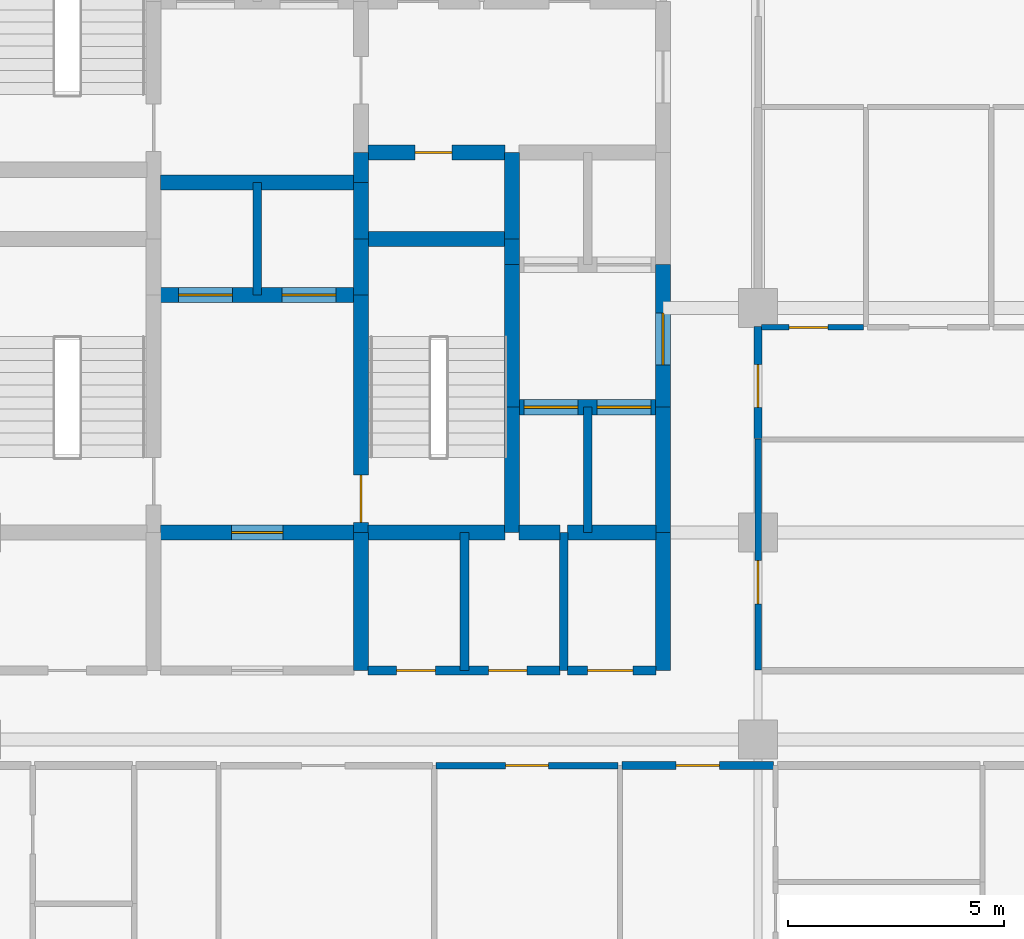
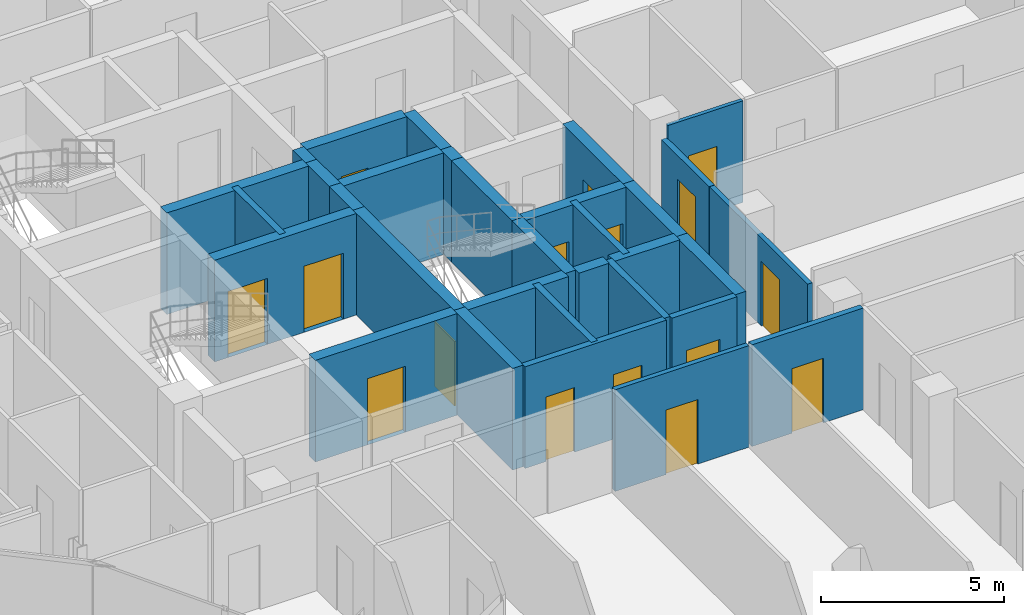
# One storey, part 26 of 31: 32 walls, 16 doors, 16 openings.
"""IFC4 building model written with IfcOpenShell, lengths in metres."""

from ifc_helpers import new_model, si_unit, direction, frame, frame_2d, origin, place, context, subcontext, project, spatial, rectangle, extrude, material, layer, layer_set, type_object, element, fill, save


model = new_model("IFC4")

# Units and contexts
model_context = context("Model", 3, precision=1e-05, world=origin(), true_north=direction((0.0, 1.0)))
body_context = subcontext(model_context, "Body", "Model", "MODEL_VIEW")
ifc_project = project(units=[si_unit("LENGTHUNIT", "METRE"), si_unit("AREAUNIT", "SQUARE_METRE"), si_unit("VOLUMEUNIT", "CUBIC_METRE"), si_unit("PLANEANGLEUNIT", "RADIAN"), si_unit("MASSUNIT", "GRAM", prefix="KILO")], contexts=[model_context])

# Site, building, storey
site_placement = place(None, origin())
site = spatial("IfcSite", under=ifc_project, at=site_placement, CompositionType="ELEMENT")
building_placement = place(site_placement, origin())
building = spatial("IfcBuilding", under=site, at=building_placement, Name="Keshet Zoharim Tower", CompositionType="ELEMENT")
storey_placement = place(building_placement, frame((0.0, 0.0, 144.60009765625)))
storey = spatial("IfcBuildingStorey", under=building, at=storey_placement, Name="L35", CompositionType="ELEMENT", Elevation=144.60009765625)

# Wall, opening, door
ifc_material_1 = material(Name="Gypsum Plasterboard", Category="gypsum")
ifc_layer_1 = layer(ifc_material_1, 0.14990234375)
ifc_layer_set_1 = layer_set([ifc_layer_1], Name="Gypsum Plasterboard")
wall_type_1 = type_object("IfcWallType", Name="WL-CLIN-150", PredefinedType="STANDARD", material=ifc_layer_set_1)
wall_1_placement = place(storey_placement, frame((33.0, 19.510009765625, 0.0), z_axis=(0.0, 0.0, 1.0), x_axis=(0.0, 1.0, 0.0)))
wall_1 = element("IfcWall", 1, at=wall_1_placement, inside=storey, type_object=wall_type_1, Name="L35 Interior Wall 069", PredefinedType="STANDARD", context=body_context, shape_type="SweptSolid", body=[
    extrude(rectangle(XDim=5.35009765625, YDim=0.14990234375, at=frame_2d((2.675048828125, 0.0))), origin(), (0.0, 0.0, 1.0), 2.934814453125),
])
opening_1_placement = place(wall_1_placement, frame((1.533935546875, 0.0, 0.0)))
opening_1 = element("IfcOpeningElement", 2, at=opening_1_placement, cuts=wall_1, Name="Opening D-F310", PredefinedType="OPENING", context=body_context, shape_type="SweptSolid", body=[
    extrude(rectangle(XDim=1.0, YDim=2.14990234375, at=frame_2d((0.5, 1.074951171875))), frame((0.0, 0.0849609375, 0.0), z_axis=(0.0, -1.0, 0.0), x_axis=(1.0, 0.0, 0.0)), (0.0, 0.0, 1.0), 0.169921875),
])
ifc_material_2 = material(Name="Hardwood Timber", Category="wood")
door_type_1 = type_object("IfcDoorType", Name="DR-FD30-100", OperationType="NOTDEFINED", PredefinedType="DOOR", material=ifc_material_2)
door_1_placement = place(opening_1_placement, origin())
door_1 = element("IfcDoor", 3, at=door_1_placement, inside=storey, type_object=door_type_1, Name="L35 South East Residents Services Suite Door 2", OperationType="SINGLE_SWING_RIGHT", OverallHeight=2.14990234375, OverallWidth=1.0, PredefinedType="DOOR", context=body_context, shape_type="SweptSolid", body=[
    extrude(rectangle(XDim=1.0, YDim=2.14990234375, at=frame_2d((0.5, 1.074951171875))), frame((0.0, 0.02490234375, 0.0), z_axis=(0.0, -1.0, 0.0), x_axis=(1.0, 0.0, 0.0)), (0.0, 0.0, 1.0), 0.050048828125),
])
fill(opening_1, door_1)

wall_2_placement = place(storey_placement, frame((25.544921875, 17.300048828125, 0.0), z_axis=(0.0, 0.0, 1.0), x_axis=(1.0, 0.0, 0.0)))
wall_2 = element("IfcWall", 4, at=wall_2_placement, inside=storey, type_object=wall_type_1, Name="L35 Interior Wall 123", PredefinedType="STANDARD", context=body_context, shape_type="SweptSolid", body=[
    extrude(rectangle(XDim=4.2099609375, YDim=0.14990234375, at=frame_2d((2.10498046875, 0.0))), origin(), (0.0, 0.0, 1.0), 3.385009765625),
])
opening_2_placement = place(wall_2_placement, frame((1.60498046875, 0.0, 0.0)))
opening_2 = element("IfcOpeningElement", 5, at=opening_2_placement, cuts=wall_2, Name="Opening D-F310", PredefinedType="OPENING", context=body_context, shape_type="SweptSolid", body=[
    extrude(rectangle(XDim=1.0, YDim=2.14990234375, at=frame_2d((0.5, 1.074951171875))), frame((0.0, 0.0849609375, 0.0), z_axis=(0.0, -1.0, 0.0), x_axis=(1.0, 0.0, 0.0)), (0.0, 0.0, 1.0), 0.169921875),
])
door_2_placement = place(opening_2_placement, origin())
door_2 = element("IfcDoor", 6, at=door_2_placement, inside=storey, type_object=door_type_1, Name="L35 Residents Reading Office Door", OperationType="SINGLE_SWING_LEFT", OverallHeight=2.14990234375, OverallWidth=1.0, PredefinedType="DOOR", context=body_context, shape_type="SweptSolid", body=[
    extrude(rectangle(XDim=1.0, YDim=2.14990234375, at=frame_2d((0.5, 1.074951171875))), frame((0.0, 0.02490234375, 0.0), z_axis=(0.0, -1.0, 0.0), x_axis=(1.0, 0.0, 0.0)), (0.0, 0.0, 1.0), 0.050048828125),
])
fill(opening_2, door_2)

# Wall
ifc_material_3 = material(Name="Concrete C60/75", Category="concrete")
ifc_layer_2 = layer(ifc_material_3, 0.35009765625)
ifc_layer_set_2 = layer_set([ifc_layer_2], Name="Concrete C60/75")
wall_type_2 = type_object("IfcWallType", Name="WL-CORE-350", PredefinedType="SHEAR", material=ifc_layer_set_2)
wall_3_placement = place(storey_placement, frame((23.800048828125, 19.5, 0.0), z_axis=(0.0, 0.0, 1.0), x_axis=(0.0, 1.0, 0.0)))
element("IfcWall", 7, at=wall_3_placement, inside=storey, type_object=wall_type_2, Name="L35 Core Shear Wall 036", PredefinedType="SHEAR", context=body_context, shape_type="SweptSolid", body=[
    extrude(rectangle(XDim=3.199951171875, YDim=0.35009765625, at=frame_2d((1.60009765625, 0.0))), origin(), (0.0, 0.0, 1.0), 3.385009765625),
])

# Wall, opening, door
wall_4_placement = place(storey_placement, frame((23.800048828125, 22.699951171875, 0.0), z_axis=(0.0, 0.0, 1.0), x_axis=(0.0, 1.0, 0.0)))
wall_4 = element("IfcWall", 8, at=wall_4_placement, inside=storey, type_object=wall_type_2, Name="L35 Core Shear Wall 037", PredefinedType="SHEAR", context=body_context, shape_type="SweptSolid", body=[
    extrude(rectangle(XDim=5.5, YDim=0.35009765625, at=frame_2d((2.75, 0.0))), origin(), (0.0, 0.0, 1.0), 3.385009765625),
])
opening_3_placement = place(wall_4_placement, frame((0.235107421875, 0.0, 0.0)))
opening_3 = element("IfcOpeningElement", 9, at=opening_3_placement, cuts=wall_4, Name="Opening D-F611", PredefinedType="OPENING", context=body_context, shape_type="SweptSolid", body=[
    extrude(rectangle(XDim=1.10009765625, YDim=2.14990234375, at=frame_2d((0.550048828125, 1.074951171875))), frame((0.0, 0.18505859375, 0.0), z_axis=(0.0, -1.0, 0.0), x_axis=(1.0, 0.0, 0.0)), (0.0, 0.0, 1.0), 0.3701171875),
])
door_type_2 = type_object("IfcDoorType", Name="DR-FD60-110", OperationType="NOTDEFINED", PredefinedType="DOOR", material=ifc_material_2)
door_3_placement = place(opening_3_placement, frame((1.10009765625, 0.0, 0.0), z_axis=(0.0, 0.0, 1.0), x_axis=(-1.0, 0.0, 0.0)))
door_3 = element("IfcDoor", 10, at=door_3_placement, inside=storey, type_object=door_type_2, Name="L35 Exit Stair ST-03 Fire Door", OperationType="SINGLE_SWING_RIGHT", OverallHeight=2.14990234375, OverallWidth=1.10009765625, PredefinedType="DOOR", context=body_context, shape_type="SweptSolid", body=[
    extrude(rectangle(XDim=1.10009765625, YDim=2.14990234375, at=frame_2d((0.550048828125, 1.074951171875))), frame((0.0, 0.02490234375, 0.0), z_axis=(0.0, -1.0, 0.0), x_axis=(1.0, 0.0, 0.0)), (0.0, 0.0, 1.0), 0.050048828125),
])
fill(opening_3, door_3)

# Walls
for number, where, z_axis, x_axis, name in (
    (11, (23.800048828125, 28.199951171875, 0.0), (0.0, 0.0, 1.0), (0.0, 1.0, 0.0), "L35 Core Shear Wall 038"),
    (12, (23.800048828125, 29.5, 0.0), (0.0, 0.0, 1.0), (0.0, 1.0, 0.0), "L35 Core Shear Wall 039"),
):
    element("IfcWall", number, at=place(storey_placement, frame(where, z_axis=z_axis, x_axis=x_axis)), inside=storey, type_object=wall_type_2, Name=name, PredefinedType="SHEAR", context=body_context, shape_type="SweptSolid", body=[
        extrude(rectangle(XDim=1.300048828125, YDim=0.35009765625, at=frame_2d((0.64990234375, 0.0))), origin(), (0.0, 0.0, 1.0), 3.385009765625),
    ])
wall_5_placement = place(storey_placement, frame((23.800048828125, 30.800048828125, 0.0), z_axis=(0.0, 0.0, 1.0), x_axis=(0.0, 1.0, 0.0)))
element("IfcWall", 13, at=wall_5_placement, inside=storey, type_object=wall_type_2, Name="L35 Core Shear Wall 040", PredefinedType="SHEAR", context=body_context, shape_type="SweptSolid", body=[
    extrude(rectangle(XDim=0.699951171875, YDim=0.35009765625, at=frame_2d((0.35009765625, 0.0))), origin(), (0.0, 0.0, 1.0), 3.385009765625),
])
wall_6_placement = place(storey_placement, frame((27.300048828125, 22.699951171875, 0.0), z_axis=(0.0, 0.0, 1.0), x_axis=(0.0, 1.0, 0.0)))
element("IfcWall", 14, at=wall_6_placement, inside=storey, type_object=wall_type_2, Name="L35 Core Shear Wall 047", PredefinedType="SHEAR", context=body_context, shape_type="SweptSolid", body=[
    extrude(rectangle(XDim=2.900146484375, YDim=0.35009765625, at=frame_2d((1.4501953125, 0.0))), origin(), (0.0, 0.0, 1.0), 3.385009765625),
])
wall_7_placement = place(storey_placement, frame((27.300048828125, 25.60009765625, 0.0), z_axis=(0.0, 0.0, 1.0), x_axis=(0.0, 1.0, 0.0)))
element("IfcWall", 15, at=wall_7_placement, inside=storey, type_object=wall_type_2, Name="L35 Core Shear Wall 048", PredefinedType="SHEAR", context=body_context, shape_type="SweptSolid", body=[
    extrude(rectangle(XDim=3.2998046875, YDim=0.35009765625, at=frame_2d((1.64990234375, 0.0))), origin(), (0.0, 0.0, 1.0), 3.385009765625),
])
wall_8_placement = place(storey_placement, frame((27.300048828125, 28.89990234375, 0.0), z_axis=(0.0, 0.0, 1.0), x_axis=(0.0, 1.0, 0.0)))
element("IfcWall", 16, at=wall_8_placement, inside=storey, type_object=wall_type_2, Name="L35 Core Shear Wall 049", PredefinedType="SHEAR", context=body_context, shape_type="SweptSolid", body=[
    extrude(rectangle(XDim=0.60009765625, YDim=0.35009765625, at=frame_2d((0.300048828125, 0.0))), origin(), (0.0, 0.0, 1.0), 3.385009765625),
])
wall_9_placement = place(storey_placement, frame((27.300048828125, 29.5, 0.0), z_axis=(0.0, 0.0, 1.0), x_axis=(0.0, 1.0, 0.0)))
element("IfcWall", 17, at=wall_9_placement, inside=storey, type_object=wall_type_2, Name="L35 Core Shear Wall 050", PredefinedType="SHEAR", context=body_context, shape_type="SweptSolid", body=[
    extrude(rectangle(XDim=2.0, YDim=0.35009765625, at=frame_2d((1.0, 0.0))), origin(), (0.0, 0.0, 1.0), 3.385009765625),
])
wall_10_placement = place(storey_placement, frame((30.800048828125, 19.5, 0.0), z_axis=(0.0, 0.0, 1.0), x_axis=(0.0, 1.0, 0.0)))
element("IfcWall", 18, at=wall_10_placement, inside=storey, type_object=wall_type_2, Name="L35 Core Shear Wall 059", PredefinedType="SHEAR", context=body_context, shape_type="SweptSolid", body=[
    extrude(rectangle(XDim=3.199951171875, YDim=0.35009765625, at=frame_2d((1.60009765625, 0.0))), origin(), (0.0, 0.0, 1.0), 3.385009765625),
])
wall_11_placement = place(storey_placement, frame((30.800048828125, 22.699951171875, 0.0), z_axis=(0.0, 0.0, 1.0), x_axis=(0.0, 1.0, 0.0)))
element("IfcWall", 19, at=wall_11_placement, inside=storey, type_object=wall_type_2, Name="L35 Core Shear Wall 060", PredefinedType="SHEAR", context=body_context, shape_type="SweptSolid", body=[
    extrude(rectangle(XDim=2.900146484375, YDim=0.35009765625, at=frame_2d((1.4501953125, 0.0))), origin(), (0.0, 0.0, 1.0), 3.385009765625),
])

# Wall, opening, door
wall_12_placement = place(storey_placement, frame((30.800048828125, 25.60009765625, 0.0), z_axis=(0.0, 0.0, 1.0), x_axis=(0.0, 1.0, 0.0)))
wall_12 = element("IfcWall", 20, at=wall_12_placement, inside=storey, type_object=wall_type_2, Name="L35 Core Shear Wall 061", PredefinedType="SHEAR", context=body_context, shape_type="SweptSolid", body=[
    extrude(rectangle(XDim=3.2998046875, YDim=0.35009765625, at=frame_2d((1.64990234375, 0.0))), origin(), (0.0, 0.0, 1.0), 3.385009765625),
])
opening_4_placement = place(wall_12_placement, frame((0.97802734375, 0.0, 0.0)))
opening_4 = element("IfcOpeningElement", 21, at=opening_4_placement, cuts=wall_12, Name="Opening D-F612", PredefinedType="OPENING", context=body_context, shape_type="SweptSolid", body=[
    extrude(rectangle(XDim=1.199951171875, YDim=2.199951171875, at=frame_2d((0.60009765625, 1.10009765625))), frame((0.0, 0.18505859375, 0.0), z_axis=(0.0, -1.0, 0.0), x_axis=(1.0, 0.0, 0.0)), (0.0, 0.0, 1.0), 0.3701171875),
])
door_type_3 = type_object("IfcDoorType", Name="DR-FD60-120", OperationType="NOTDEFINED", PredefinedType="DOOR", material=ifc_material_2)
door_4_placement = place(opening_4_placement, origin())
door_4 = element("IfcDoor", 22, at=door_4_placement, inside=storey, type_object=door_type_3, Name="L35 East Lift Lobby Fire Door", OperationType="SINGLE_SWING_RIGHT", OverallHeight=2.199951171875, OverallWidth=1.199951171875, PredefinedType="DOOR", context=body_context, shape_type="SweptSolid", body=[
    extrude(rectangle(XDim=1.199951171875, YDim=2.199951171875, at=frame_2d((0.60009765625, 1.10009765625))), frame((0.0, 0.02490234375, 0.0), z_axis=(0.0, -1.0, 0.0), x_axis=(1.0, 0.0, 0.0)), (0.0, 0.0, 1.0), 0.050048828125),
])
fill(opening_4, door_4)

wall_13_placement = place(storey_placement, frame((19.159912109375, 22.699951171875, 0.0), z_axis=(0.0, 0.0, 1.0), x_axis=(1.0, 0.0, 0.0)))
wall_13 = element("IfcWall", 23, at=wall_13_placement, inside=storey, type_object=wall_type_2, Name="L35 Core Shear Wall 140", PredefinedType="SHEAR", context=body_context, shape_type="SweptSolid", body=[
    extrude(rectangle(XDim=4.47998046875, YDim=0.35009765625, at=frame_2d((2.239990234375, 0.0))), origin(), (0.0, 0.0, 1.0), 3.385009765625),
])
opening_5_placement = place(wall_13_placement, frame((1.639892578125, 0.0, 0.0)))
opening_5 = element("IfcOpeningElement", 24, at=opening_5_placement, cuts=wall_13, Name="Opening D-F612", PredefinedType="OPENING", context=body_context, shape_type="SweptSolid", body=[
    extrude(rectangle(XDim=1.199951171875, YDim=2.199951171875, at=frame_2d((0.60009765625, 1.10009765625))), frame((0.0, 0.18505859375, 0.0), z_axis=(0.0, -1.0, 0.0), x_axis=(1.0, 0.0, 0.0)), (0.0, 0.0, 1.0), 0.3701171875),
])
door_5_placement = place(opening_5_placement, origin())
door_5 = element("IfcDoor", 25, at=door_5_placement, inside=storey, type_object=door_type_3, Name="L35 South Core Lobby Fire Door", OperationType="SINGLE_SWING_LEFT", OverallHeight=2.199951171875, OverallWidth=1.199951171875, PredefinedType="DOOR", context=body_context, shape_type="SweptSolid", body=[
    extrude(rectangle(XDim=1.199951171875, YDim=2.199951171875, at=frame_2d((0.60009765625, 1.10009765625))), frame((0.0, 0.02490234375, 0.0), z_axis=(0.0, -1.0, 0.0), x_axis=(1.0, 0.0, 0.0)), (0.0, 0.0, 1.0), 0.050048828125),
])
fill(opening_5, door_5)

# Walls
wall_14_placement = place(storey_placement, frame((23.9599609375, 22.699951171875, 0.0), z_axis=(0.0, 0.0, 1.0), x_axis=(1.0, 0.0, 0.0)))
element("IfcWall", 26, at=wall_14_placement, inside=storey, type_object=wall_type_2, Name="L35 Core Shear Wall 141", PredefinedType="SHEAR", context=body_context, shape_type="SweptSolid", body=[
    extrude(rectangle(XDim=3.179931640625, YDim=0.35009765625, at=frame_2d((1.58984375, 0.0))), origin(), (0.0, 0.0, 1.0), 3.385009765625),
])
wall_15_placement = place(storey_placement, frame((27.4599609375, 22.699951171875, 0.0), z_axis=(0.0, 0.0, 1.0), x_axis=(1.0, 0.0, 0.0)))
element("IfcWall", 27, at=wall_15_placement, inside=storey, type_object=wall_type_2, Name="L35 Core Shear Wall 142", PredefinedType="SHEAR", context=body_context, shape_type="SweptSolid", body=[
    extrude(rectangle(XDim=0.955078125, YDim=0.35009765625, at=frame_2d((0.4775390625, 0.0))), origin(), (0.0, 0.0, 1.0), 3.385009765625),
])
wall_16_placement = place(storey_placement, frame((28.5849609375, 22.699951171875, 0.0), z_axis=(0.0, 0.0, 1.0), x_axis=(1.0, 0.0, 0.0)))
element("IfcWall", 28, at=wall_16_placement, inside=storey, type_object=wall_type_2, Name="L35 Core Shear Wall 143", PredefinedType="SHEAR", context=body_context, shape_type="SweptSolid", body=[
    extrude(rectangle(XDim=2.054931640625, YDim=0.35009765625, at=frame_2d((1.02734375, 0.0))), origin(), (0.0, 0.0, 1.0), 3.385009765625),
])

# Wall, openings, doors
wall_17_placement = place(storey_placement, frame((27.4599609375, 25.60009765625, 0.0), z_axis=(0.0, 0.0, 1.0), x_axis=(1.0, 0.0, 0.0)))
wall_17 = element("IfcWall", 29, at=wall_17_placement, inside=storey, type_object=wall_type_2, Name="L35 Core Shear Wall 147", PredefinedType="SHEAR", context=body_context, shape_type="SweptSolid", body=[
    extrude(rectangle(XDim=3.179931640625, YDim=0.35009765625, at=frame_2d((1.58984375, 0.0))), origin(), (0.0, 0.0, 1.0), 3.385009765625),
])
opening_6_placement = place(wall_17_placement, frame((0.1201171875, 0.0, 0.0)))
opening_6 = element("IfcOpeningElement", 30, at=opening_6_placement, cuts=wall_17, Name="Opening LD-01", PredefinedType="OPENING", context=body_context, shape_type="SweptSolid", body=[
    extrude(rectangle(XDim=1.25, YDim=2.199951171875, at=frame_2d((0.625, 1.10009765625))), frame((0.0, 0.18505859375, 0.0), z_axis=(0.0, -1.0, 0.0), x_axis=(1.0, 0.0, 0.0)), (0.0, 0.0, 1.0), 0.3701171875),
])
opening_7_placement = place(wall_17_placement, frame((1.81005859375, 0.0, 0.0)))
opening_7 = element("IfcOpeningElement", 31, at=opening_7_placement, cuts=wall_17, Name="Opening LD-01", PredefinedType="OPENING", context=body_context, shape_type="SweptSolid", body=[
    extrude(rectangle(XDim=1.25, YDim=2.199951171875, at=frame_2d((0.625, 1.10009765625))), frame((0.0, 0.18505859375, 0.0), z_axis=(0.0, -1.0, 0.0), x_axis=(1.0, 0.0, 0.0)), (0.0, 0.0, 1.0), 0.3701171875),
])
ifc_material_4 = material(Name="Steel S355", Category="steel")
door_type_4 = type_object("IfcDoorType", Name="DR-LD01-125", OperationType="DOUBLE_DOOR_SLIDING", PredefinedType="DOOR", material=ifc_material_4)
door_6_placement = place(opening_6_placement, origin())
door_6 = element("IfcDoor", 32, at=door_6_placement, inside=storey, type_object=door_type_4, Name="L35 Passenger Lift Landing Door LF-07", OperationType="DOUBLE_DOOR_SLIDING", OverallHeight=2.199951171875, OverallWidth=1.25, PredefinedType="DOOR", context=body_context, shape_type="SweptSolid", body=[
    extrude(rectangle(XDim=1.25, YDim=2.199951171875, at=frame_2d((0.625, 1.10009765625))), frame((0.0, 0.02490234375, 0.0), z_axis=(0.0, -1.0, 0.0), x_axis=(1.0, 0.0, 0.0)), (0.0, 0.0, 1.0), 0.050048828125),
])
fill(opening_6, door_6)
door_7_placement = place(opening_7_placement, origin())
door_7 = element("IfcDoor", 33, at=door_7_placement, inside=storey, type_object=door_type_4, Name="L35 Passenger Lift Landing Door LF-08", OperationType="DOUBLE_DOOR_SLIDING", OverallHeight=2.199951171875, OverallWidth=1.25, PredefinedType="DOOR", context=body_context, shape_type="SweptSolid", body=[
    extrude(rectangle(XDim=1.25, YDim=2.199951171875, at=frame_2d((0.625, 1.10009765625))), frame((0.0, 0.02490234375, 0.0), z_axis=(0.0, -1.0, 0.0), x_axis=(1.0, 0.0, 0.0)), (0.0, 0.0, 1.0), 0.050048828125),
])
fill(opening_7, door_7)

wall_18_placement = place(storey_placement, frame((19.159912109375, 28.199951171875, 0.0), z_axis=(0.0, 0.0, 1.0), x_axis=(1.0, 0.0, 0.0)))
wall_18 = element("IfcWall", 34, at=wall_18_placement, inside=storey, type_object=wall_type_2, Name="L35 Core Shear Wall 153", PredefinedType="SHEAR", context=body_context, shape_type="SweptSolid", body=[
    extrude(rectangle(XDim=4.47998046875, YDim=0.35009765625, at=frame_2d((2.239990234375, 0.0))), origin(), (0.0, 0.0, 1.0), 3.385009765625),
])
opening_8_placement = place(wall_18_placement, frame((0.4150390625, 0.0, 0.0)))
opening_8 = element("IfcOpeningElement", 35, at=opening_8_placement, cuts=wall_18, Name="Opening LD-01", PredefinedType="OPENING", context=body_context, shape_type="SweptSolid", body=[
    extrude(rectangle(XDim=1.25, YDim=2.199951171875, at=frame_2d((0.625, 1.10009765625))), frame((0.0, 0.18505859375, 0.0), z_axis=(0.0, -1.0, 0.0), x_axis=(1.0, 0.0, 0.0)), (0.0, 0.0, 1.0), 0.3701171875),
])
opening_9_placement = place(wall_18_placement, frame((2.81494140625, 0.0, 0.0)))
opening_9 = element("IfcOpeningElement", 36, at=opening_9_placement, cuts=wall_18, Name="Opening LD-01", PredefinedType="OPENING", context=body_context, shape_type="SweptSolid", body=[
    extrude(rectangle(XDim=1.25, YDim=2.199951171875, at=frame_2d((0.625, 1.10009765625))), frame((0.0, 0.18505859375, 0.0), z_axis=(0.0, -1.0, 0.0), x_axis=(1.0, 0.0, 0.0)), (0.0, 0.0, 1.0), 0.3701171875),
])
door_8_placement = place(opening_8_placement, origin())
door_8 = element("IfcDoor", 37, at=door_8_placement, inside=storey, type_object=door_type_4, Name="L35 Passenger Lift Landing Door LF-09", OperationType="DOUBLE_DOOR_SLIDING", OverallHeight=2.199951171875, OverallWidth=1.25, PredefinedType="DOOR", context=body_context, shape_type="SweptSolid", body=[
    extrude(rectangle(XDim=1.25, YDim=2.199951171875, at=frame_2d((0.625, 1.10009765625))), frame((0.0, 0.02490234375, 0.0), z_axis=(0.0, -1.0, 0.0), x_axis=(1.0, 0.0, 0.0)), (0.0, 0.0, 1.0), 0.050048828125),
])
fill(opening_8, door_8)
door_9_placement = place(opening_9_placement, origin())
door_9 = element("IfcDoor", 38, at=door_9_placement, inside=storey, type_object=door_type_4, Name="L35 Passenger Lift Landing Door LF-10", OperationType="DOUBLE_DOOR_SLIDING", OverallHeight=2.199951171875, OverallWidth=1.25, PredefinedType="DOOR", context=body_context, shape_type="SweptSolid", body=[
    extrude(rectangle(XDim=1.25, YDim=2.199951171875, at=frame_2d((0.625, 1.10009765625))), frame((0.0, 0.02490234375, 0.0), z_axis=(0.0, -1.0, 0.0), x_axis=(1.0, 0.0, 0.0)), (0.0, 0.0, 1.0), 0.050048828125),
])
fill(opening_9, door_9)

# Walls
wall_19_placement = place(storey_placement, frame((23.9599609375, 29.5, 0.0), z_axis=(0.0, 0.0, 1.0), x_axis=(1.0, 0.0, 0.0)))
element("IfcWall", 39, at=wall_19_placement, inside=storey, type_object=wall_type_2, Name="L35 Core Shear Wall 158", PredefinedType="SHEAR", context=body_context, shape_type="SweptSolid", body=[
    extrude(rectangle(XDim=3.179931640625, YDim=0.35009765625, at=frame_2d((1.58984375, 0.0))), origin(), (0.0, 0.0, 1.0), 3.385009765625),
])
wall_20_placement = place(storey_placement, frame((19.159912109375, 30.800048828125, 0.0), z_axis=(0.0, 0.0, 1.0), x_axis=(1.0, 0.0, 0.0)))
element("IfcWall", 40, at=wall_20_placement, inside=storey, type_object=wall_type_2, Name="L35 Core Shear Wall 159", PredefinedType="SHEAR", context=body_context, shape_type="SweptSolid", body=[
    extrude(rectangle(XDim=4.47998046875, YDim=0.35009765625, at=frame_2d((2.239990234375, 0.0))), origin(), (0.0, 0.0, 1.0), 3.385009765625),
])

# Wall, opening, door
wall_21_placement = place(storey_placement, frame((23.9599609375, 31.5, 0.0), z_axis=(0.0, 0.0, 1.0), x_axis=(1.0, 0.0, 0.0)))
wall_21 = element("IfcWall", 41, at=wall_21_placement, inside=storey, type_object=wall_type_2, Name="L35 Core Shear Wall 163", PredefinedType="SHEAR", context=body_context, shape_type="SweptSolid", body=[
    extrude(rectangle(XDim=3.179931640625, YDim=0.35009765625, at=frame_2d((1.58984375, 0.0))), origin(), (0.0, 0.0, 1.0), 3.385009765625),
])
opening_10_placement = place(wall_21_placement, frame((1.093994140625, 0.0, 0.0)))
opening_10 = element("IfcOpeningElement", 42, at=opening_10_placement, cuts=wall_21, Name="Opening D-RS85", PredefinedType="OPENING", context=body_context, shape_type="SweptSolid", body=[
    extrude(rectangle(XDim=0.85009765625, YDim=2.10009765625, at=frame_2d((0.425048828125, 1.050048828125))), frame((0.0, 0.18505859375, 0.0), z_axis=(0.0, -1.0, 0.0), x_axis=(1.0, 0.0, 0.0)), (0.0, 0.0, 1.0), 0.3701171875),
])
door_type_5 = type_object("IfcDoorType", Name="DR-RIS-085", OperationType="NOTDEFINED", PredefinedType="DOOR", material=ifc_material_2)
door_10_placement = place(opening_10_placement, origin())
door_10 = element("IfcDoor", 43, at=door_10_placement, inside=storey, type_object=door_type_5, Name="L35 Telecom Riser Access Cupboard Door", OperationType="SINGLE_SWING_LEFT", OverallHeight=2.10009765625, OverallWidth=0.85009765625, PredefinedType="DOOR", context=body_context, shape_type="SweptSolid", body=[
    extrude(rectangle(XDim=0.85009765625, YDim=2.10009765625, at=frame_2d((0.425048828125, 1.050048828125))), frame((0.0, 0.02490234375, 0.0), z_axis=(0.0, -1.0, 0.0), x_axis=(1.0, 0.0, 0.0)), (0.0, 0.0, 1.0), 0.050048828125),
])
fill(opening_10, door_10)

ifc_layer_3 = layer(ifc_material_1, 0.179931640625)
ifc_layer_set_3 = layer_set([ifc_layer_3], Name="Gypsum Plasterboard")
wall_type_3 = type_object("IfcWallType", Name="WL-CORR-180", PredefinedType="STANDARD", material=ifc_layer_set_3)
wall_22_placement = place(storey_placement, frame((33.0, 24.8701171875, 0.0), z_axis=(0.0, 0.0, 1.0), x_axis=(0.0, 1.0, 0.0)))
wall_22 = element("IfcWall", 44, at=wall_22_placement, inside=storey, type_object=wall_type_3, Name="L35 Interior Wall 070", PredefinedType="STANDARD", context=body_context, shape_type="SweptSolid", body=[
    extrude(rectangle(XDim=2.599853515625, YDim=0.179931640625, at=frame_2d((1.2998046875, 0.0))), origin(), (0.0, 0.0, 1.0), 2.934814453125),
])
opening_11_placement = place(wall_22_placement, frame((0.722900390625, 0.0, 0.0)))
opening_11 = element("IfcOpeningElement", 45, at=opening_11_placement, cuts=wall_22, Name="Opening D-F310", PredefinedType="OPENING", context=body_context, shape_type="SweptSolid", body=[
    extrude(rectangle(XDim=1.0, YDim=2.14990234375, at=frame_2d((0.5, 1.074951171875))), frame((0.0, 0.10009765625, 0.0), z_axis=(0.0, -1.0, 0.0), x_axis=(1.0, 0.0, 0.0)), (0.0, 0.0, 1.0), 0.199951171875),
])
door_11_placement = place(opening_11_placement, origin())
door_11 = element("IfcDoor", 46, at=door_11_placement, inside=storey, type_object=door_type_1, Name="Apartment 3509 Entrance Door", OperationType="SINGLE_SWING_LEFT", OverallHeight=2.14990234375, OverallWidth=1.0, PredefinedType="DOOR", context=body_context, shape_type="SweptSolid", body=[
    extrude(rectangle(XDim=1.0, YDim=2.14990234375, at=frame_2d((0.5, 1.074951171875))), frame((0.0, 0.02490234375, 0.0), z_axis=(0.0, -1.0, 0.0), x_axis=(1.0, 0.0, 0.0)), (0.0, 0.0, 1.0), 0.050048828125),
])
fill(opening_11, door_11)

wall_23_placement = place(storey_placement, frame((29.844970703125, 17.300048828125, 0.0), z_axis=(0.0, 0.0, 1.0), x_axis=(1.0, 0.0, 0.0)))
wall_23 = element("IfcWall", 47, at=wall_23_placement, inside=storey, type_object=wall_type_3, Name="L35 Interior Wall 124", PredefinedType="STANDARD", context=body_context, shape_type="SweptSolid", body=[
    extrude(rectangle(XDim=3.510009765625, YDim=0.179931640625, at=frame_2d((1.7548828125, 0.0))), origin(), (0.0, 0.0, 1.0), 3.385009765625),
])
opening_12_placement = place(wall_23_placement, frame((1.2548828125, 0.0, 0.0)))
opening_12 = element("IfcOpeningElement", 48, at=opening_12_placement, cuts=wall_23, Name="Opening D-F310", PredefinedType="OPENING", context=body_context, shape_type="SweptSolid", body=[
    extrude(rectangle(XDim=1.0, YDim=2.14990234375, at=frame_2d((0.5, 1.074951171875))), frame((0.0, 0.10009765625, 0.0), z_axis=(0.0, -1.0, 0.0), x_axis=(1.0, 0.0, 0.0)), (0.0, 0.0, 1.0), 0.199951171875),
])
door_12_placement = place(opening_12_placement, origin())
door_12 = element("IfcDoor", 49, at=door_12_placement, inside=storey, type_object=door_type_1, Name="Apartment 3502 Entrance Door", OperationType="SINGLE_SWING_RIGHT", OverallHeight=2.14990234375, OverallWidth=1.0, PredefinedType="DOOR", context=body_context, shape_type="SweptSolid", body=[
    extrude(rectangle(XDim=1.0, YDim=2.14990234375, at=frame_2d((0.5, 1.074951171875))), frame((0.0, 0.02490234375, 0.0), z_axis=(0.0, -1.0, 0.0), x_axis=(1.0, 0.0, 0.0)), (0.0, 0.0, 1.0), 0.050048828125),
])
fill(opening_12, door_12)

# Walls
ifc_material_5 = material(Name="Concrete C50/60", Category="concrete")
ifc_layer_4 = layer(ifc_material_5, 0.199951171875)
ifc_layer_set_4 = layer_set([ifc_layer_4], Name="Concrete C50/60")
wall_type_4 = type_object("IfcWallType", Name="WL-FIRE-200", PredefinedType="STANDARD", material=ifc_layer_set_4)
wall_24_placement = place(storey_placement, frame((21.39990234375, 28.199951171875, 0.0), z_axis=(0.0, 0.0, 1.0), x_axis=(0.0, 1.0, 0.0)))
element("IfcWall", 50, at=wall_24_placement, inside=storey, type_object=wall_type_4, Name="L35 Interior Wall 031", PredefinedType="STANDARD", context=body_context, shape_type="SweptSolid", body=[
    extrude(rectangle(XDim=2.60009765625, YDim=0.199951171875, at=frame_2d((1.300048828125, 0.0))), origin(), (0.0, 0.0, 1.0), 3.385009765625),
])
for number, where, z_axis, x_axis, name in (
    (51, (26.199951171875, 19.5, 0.0), (0.0, 0.0, 1.0), (0.0, 1.0, 0.0), "L35 Interior Wall 045"),
    (52, (28.5, 19.5, 0.0), (0.0, 0.0, 1.0), (0.0, 1.0, 0.0), "L35 Interior Wall 053"),
):
    element("IfcWall", number, at=place(storey_placement, frame(where, z_axis=z_axis, x_axis=x_axis)), inside=storey, type_object=wall_type_4, Name=name, PredefinedType="STANDARD", context=body_context, shape_type="SweptSolid", body=[
        extrude(rectangle(XDim=3.199951171875, YDim=0.199951171875, at=frame_2d((1.60009765625, 0.0))), origin(), (0.0, 0.0, 1.0), 3.385009765625),
    ])
wall_25_placement = place(storey_placement, frame((29.050048828125, 22.699951171875, 0.0), z_axis=(0.0, 0.0, 1.0), x_axis=(0.0, 1.0, 0.0)))
element("IfcWall", 53, at=wall_25_placement, inside=storey, type_object=wall_type_4, Name="L35 Interior Wall 054", PredefinedType="STANDARD", context=body_context, shape_type="SweptSolid", body=[
    extrude(rectangle(XDim=2.900146484375, YDim=0.199951171875, at=frame_2d((1.4501953125, 0.0))), origin(), (0.0, 0.0, 1.0), 3.385009765625),
])

# Wall, openings, doors
wall_26_placement = place(storey_placement, frame((23.9599609375, 19.5, 0.0), z_axis=(0.0, 0.0, 1.0), x_axis=(1.0, 0.0, 0.0)))
wall_26 = element("IfcWall", 54, at=wall_26_placement, inside=storey, type_object=wall_type_4, Name="L35 Interior Wall 133", PredefinedType="STANDARD", context=body_context, shape_type="SweptSolid", body=[
    extrude(rectangle(XDim=4.455078125, YDim=0.199951171875, at=frame_2d((2.2275390625, 0.0))), origin(), (0.0, 0.0, 1.0), 3.385009765625),
])
opening_13_placement = place(wall_26_placement, frame((0.6650390625, 0.0, 0.0)))
opening_13 = element("IfcOpeningElement", 55, at=opening_13_placement, cuts=wall_26, Name="Opening D-F690", PredefinedType="OPENING", context=body_context, shape_type="SweptSolid", body=[
    extrude(rectangle(XDim=0.89990234375, YDim=2.14990234375, at=frame_2d((0.449951171875, 1.074951171875))), frame((0.0, 0.10986328125, 0.0), z_axis=(0.0, -1.0, 0.0), x_axis=(1.0, 0.0, 0.0)), (0.0, 0.0, 1.0), 0.219970703125),
])
opening_14_placement = place(wall_26_placement, frame((2.791015625, 0.0, 0.0)))
opening_14 = element("IfcOpeningElement", 56, at=opening_14_placement, cuts=wall_26, Name="Opening D-F690", PredefinedType="OPENING", context=body_context, shape_type="SweptSolid", body=[
    extrude(rectangle(XDim=0.89990234375, YDim=2.14990234375, at=frame_2d((0.449951171875, 1.074951171875))), frame((0.0, 0.10986328125, 0.0), z_axis=(0.0, -1.0, 0.0), x_axis=(1.0, 0.0, 0.0)), (0.0, 0.0, 1.0), 0.219970703125),
])
door_type_6 = type_object("IfcDoorType", Name="DR-FD60-090", OperationType="NOTDEFINED", PredefinedType="DOOR", material=ifc_material_2)
door_13_placement = place(opening_13_placement, origin())
door_13 = element("IfcDoor", 57, at=door_13_placement, inside=storey, type_object=door_type_6, Name="L35 Switchgear Room Door", OperationType="SINGLE_SWING_LEFT", OverallHeight=2.14990234375, OverallWidth=0.89990234375, PredefinedType="DOOR", context=body_context, shape_type="SweptSolid", body=[
    extrude(rectangle(XDim=0.89990234375, YDim=2.14990234375, at=frame_2d((0.449951171875, 1.074951171875))), frame((0.0, 0.02490234375, 0.0), z_axis=(0.0, -1.0, 0.0), x_axis=(1.0, 0.0, 0.0)), (0.0, 0.0, 1.0), 0.050048828125),
])
fill(opening_13, door_13)
door_14_placement = place(opening_14_placement, origin())
door_14 = element("IfcDoor", 58, at=door_14_placement, inside=storey, type_object=door_type_6, Name="L35 Telecom Room Door", OperationType="SINGLE_SWING_RIGHT", OverallHeight=2.14990234375, OverallWidth=0.89990234375, PredefinedType="DOOR", context=body_context, shape_type="SweptSolid", body=[
    extrude(rectangle(XDim=0.89990234375, YDim=2.14990234375, at=frame_2d((0.449951171875, 1.074951171875))), frame((0.0, 0.02490234375, 0.0), z_axis=(0.0, -1.0, 0.0), x_axis=(1.0, 0.0, 0.0)), (0.0, 0.0, 1.0), 0.050048828125),
])
fill(opening_14, door_14)

# Wall, opening, door
wall_27_placement = place(storey_placement, frame((28.5849609375, 19.5, 0.0), z_axis=(0.0, 0.0, 1.0), x_axis=(1.0, 0.0, 0.0)))
wall_27 = element("IfcWall", 59, at=wall_27_placement, inside=storey, type_object=wall_type_4, Name="L35 Interior Wall 134", PredefinedType="STANDARD", context=body_context, shape_type="SweptSolid", body=[
    extrude(rectangle(XDim=2.054931640625, YDim=0.199951171875, at=frame_2d((1.02734375, 0.0))), origin(), (0.0, 0.0, 1.0), 3.385009765625),
])
opening_15_placement = place(wall_27_placement, frame((0.466064453125, 0.0, 0.0)))
opening_15 = element("IfcOpeningElement", 60, at=opening_15_placement, cuts=wall_27, Name="Opening D-AC10", PredefinedType="OPENING", context=body_context, shape_type="SweptSolid", body=[
    extrude(rectangle(XDim=1.050048828125, YDim=2.14990234375, at=frame_2d((0.52490234375, 1.074951171875))), frame((0.0, 0.10986328125, 0.0), z_axis=(0.0, -1.0, 0.0), x_axis=(1.0, 0.0, 0.0)), (0.0, 0.0, 1.0), 0.219970703125),
])
door_type_7 = type_object("IfcDoorType", Name="DR-ACC-105", OperationType="NOTDEFINED", PredefinedType="DOOR", material=ifc_material_2)
door_15_placement = place(opening_15_placement, origin())
door_15 = element("IfcDoor", 61, at=door_15_placement, inside=storey, type_object=door_type_7, Name="L35 Accessible WC Door", OperationType="SINGLE_SWING_LEFT", OverallHeight=2.14990234375, OverallWidth=1.050048828125, PredefinedType="DOOR", context=body_context, shape_type="SweptSolid", body=[
    extrude(rectangle(XDim=1.050048828125, YDim=2.14990234375, at=frame_2d((0.52490234375, 1.074951171875))), frame((0.0, 0.02490234375, 0.0), z_axis=(0.0, -1.0, 0.0), x_axis=(1.0, 0.0, 0.0)), (0.0, 0.0, 1.0), 0.050048828125),
])
fill(opening_15, door_15)

ifc_layer_5 = layer(ifc_material_1, 0.1201171875)
ifc_layer_set_5 = layer_set([ifc_layer_5], Name="Gypsum Plasterboard")
wall_type_5 = type_object("IfcWallType", Name="WL-PART-120", PredefinedType="PARTITIONING", material=ifc_layer_set_5)
wall_28_placement = place(storey_placement, frame((33.074951171875, 27.449951171875, 0.0), z_axis=(0.0, 0.0, 1.0), x_axis=(1.0, 0.0, 0.0)))
wall_28 = element("IfcWall", 62, at=wall_28_placement, inside=storey, type_object=wall_type_5, Name="L35 Interior Wall 148", PredefinedType="PARTITIONING", context=body_context, shape_type="SweptSolid", body=[
    extrude(rectangle(XDim=2.364013671875, YDim=0.1201171875, at=frame_2d((1.18212890625, 0.0))), origin(), (0.0, 0.0, 1.0), 3.385009765625),
])
opening_16_placement = place(wall_28_placement, frame((0.64111328125, 0.0, 0.0)))
opening_16 = element("IfcOpeningElement", 63, at=opening_16_placement, cuts=wall_28, Name="Opening D-IN90", PredefinedType="OPENING", context=body_context, shape_type="SweptSolid", body=[
    extrude(rectangle(XDim=0.89990234375, YDim=2.14990234375, at=frame_2d((0.449951171875, 1.074951171875))), frame((0.0, 0.070068359375, 0.0), z_axis=(0.0, -1.0, 0.0), x_axis=(1.0, 0.0, 0.0)), (0.0, 0.0, 1.0), 0.14013671875),
])
door_type_8 = type_object("IfcDoorType", Name="DR-INT-090", OperationType="NOTDEFINED", PredefinedType="DOOR", material=ifc_material_2)
door_16_placement = place(opening_16_placement, origin())
door_16 = element("IfcDoor", 64, at=door_16_placement, inside=storey, type_object=door_type_8, Name="Apartment 3509 Kitchen Door", OperationType="SINGLE_SWING_RIGHT", OverallHeight=2.14990234375, OverallWidth=0.89990234375, PredefinedType="DOOR", context=body_context, shape_type="SweptSolid", body=[
    extrude(rectangle(XDim=0.89990234375, YDim=2.14990234375, at=frame_2d((0.449951171875, 1.074951171875))), frame((0.0, 0.02490234375, 0.0), z_axis=(0.0, -1.0, 0.0), x_axis=(1.0, 0.0, 0.0)), (0.0, 0.0, 1.0), 0.050048828125),
])
fill(opening_16, door_16)

save(model, "model.ifc")
